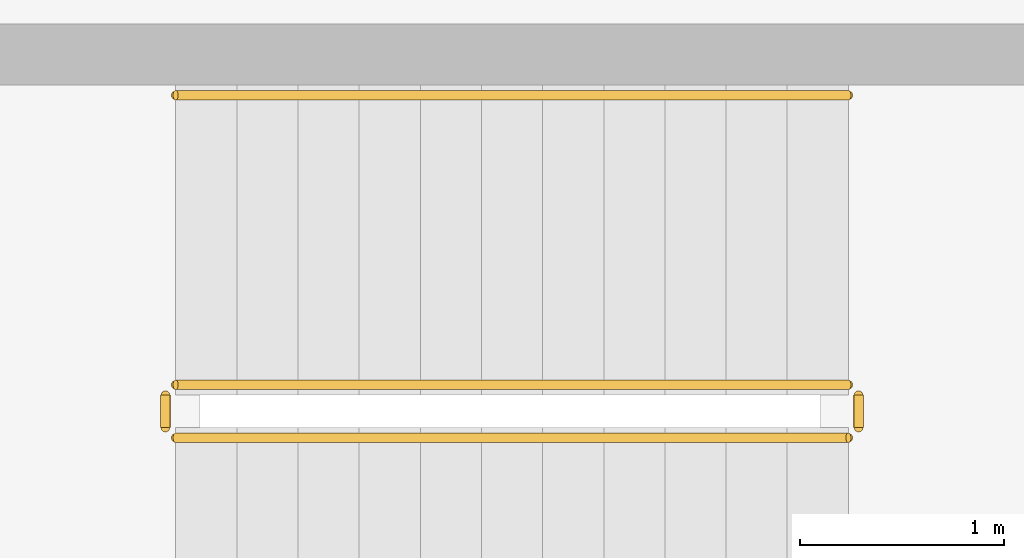
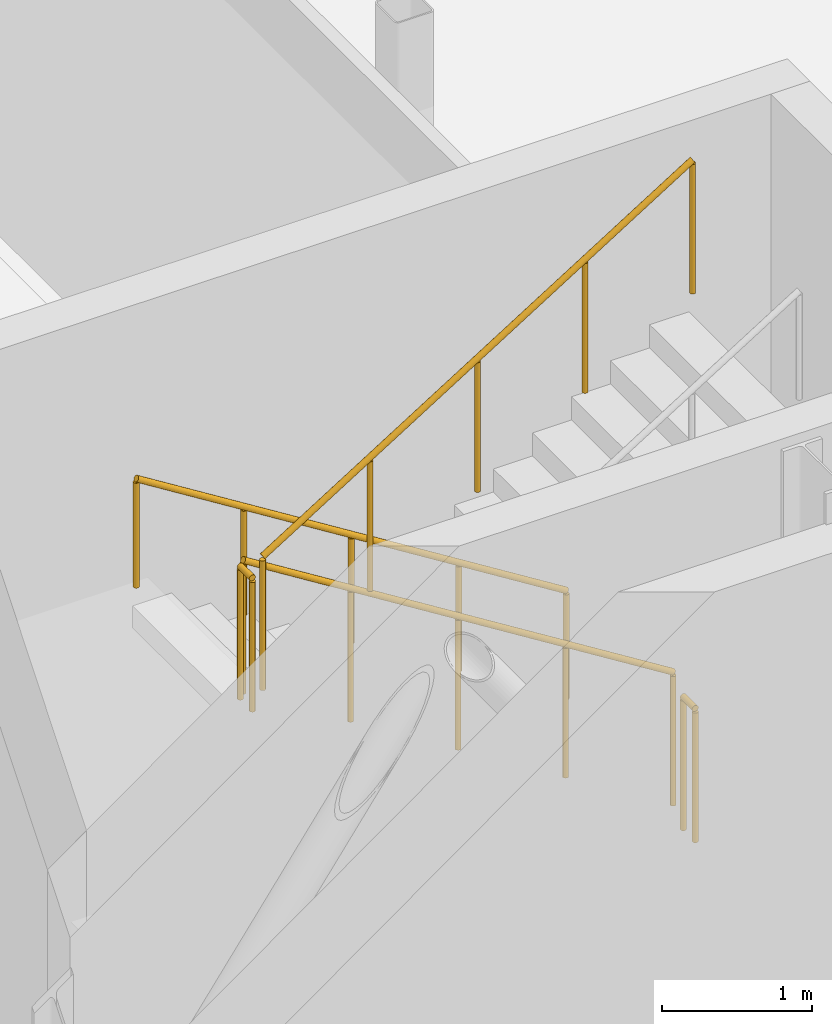
# One storey, part 81 of 100: 5 railings.
"""IFC4 building model written with IfcOpenShell, lengths in metres."""

from ifc_helpers import new_model, si_unit, direction, frame, origin, origin_2d, place, context, subcontext, project, spatial, circle, extrude, material, type_object, element, save


model = new_model("IFC4")

# Units and contexts
model_context = context("Model", 3, precision=1e-05, world=origin(), true_north=direction((0.0, 1.0)))
body_context = subcontext(model_context, "Body", "Model", "MODEL_VIEW")
ifc_project = project(units=[si_unit("LENGTHUNIT", "METRE"), si_unit("AREAUNIT", "SQUARE_METRE"), si_unit("VOLUMEUNIT", "CUBIC_METRE"), si_unit("PLANEANGLEUNIT", "RADIAN"), si_unit("MASSUNIT", "GRAM", prefix="KILO")], contexts=[model_context])

# Site, building, storey
site_placement = place(None, origin())
site = spatial("IfcSite", under=ifc_project, at=site_placement, CompositionType="ELEMENT")
building_placement = place(site_placement, origin())
building = spatial("IfcBuilding", under=site, at=building_placement, Name="Cymarion Research Institute", CompositionType="ELEMENT")
storey_placement = place(building_placement, frame((0.0, 0.0, 4.800048828125)))
storey = spatial("IfcBuildingStorey", under=building, at=storey_placement, Name="L01", CompositionType="ELEMENT", Elevation=4.800048828125)

# Railings
ifc_material = material(Name="Steel S355", Category="steel")
railing_type_1 = type_object("IfcRailingType", Name="PAINTED STEEL STAIR GUARDRAIL GR1 1100MM", PredefinedType="GUARDRAIL", material=ifc_material)
railing_1_placement = place(storey_placement, frame((62.60009765625, 7.929931640625, 0.1875)))
element("IfcRailing", 1, at=railing_1_placement, inside=storey, type_object=railing_type_1, Name="L01 ST3 stair guard 1", PredefinedType="GUARDRAIL", context=body_context, shape_type="SweptSolid", body=[
    extrude(circle(Radius=0.02392578125, at=origin_2d()), frame((0.0, 0.0, 1.076171875), z_axis=(-0.848001828478, 0.0, 0.529993300805), x_axis=(0.0, -1.0, 0.0)), (0.0, 0.0, 1.0), 3.8916015625),
    extrude(circle(Radius=0.02099609375, at=origin_2d()), origin(), (0.0, 0.0, 1.0), 1.052001953125),
    extrude(circle(Radius=0.02099609375, at=origin_2d()), frame((-0.824951171875, 0.0, 0.515625)), (0.0, 0.0, 1.0), 1.052001953125),
    extrude(circle(Radius=0.02099609375, at=origin_2d()), frame((-1.64990234375, 0.0, 1.03125)), (0.0, 0.0, 1.0), 1.052001953125),
    extrude(circle(Radius=0.02099609375, at=origin_2d()), frame((-2.47509765625, 0.0, 1.546875)), (0.0, 0.0, 1.0), 1.052001953125),
    extrude(circle(Radius=0.02099609375, at=origin_2d()), frame((-3.300048828125, 0.0, 2.0625)), (0.0, 0.0, 1.0), 1.052001953125),
])
railing_2_placement = place(storey_placement, frame((59.25, 7.8798828125, 2.25)))
element("IfcRailing", 2, at=railing_2_placement, inside=storey, type_object=railing_type_1, Name="L01 ST3 stair guard 2", PredefinedType="GUARDRAIL", context=body_context, shape_type="SweptSolid", body=[
    extrude(circle(Radius=0.02392578125, at=origin_2d()), frame((0.0, 0.0, 1.076171875), z_axis=(0.0, -1.0, 0.0), x_axis=(1.0, 0.0, 0.0)), (0.0, 0.0, 1.0), 0.159912109375),
    extrude(circle(Radius=0.02099609375, at=origin_2d()), origin(), (0.0, 0.0, 1.0), 1.052001953125),
    extrude(circle(Radius=0.02099609375, at=origin_2d()), frame((0.0, -0.159912109375, 0.0)), (0.0, 0.0, 1.0), 1.052001953125),
])
railing_3_placement = place(storey_placement, frame((59.300048828125, 7.669921875, 2.4375)))
element("IfcRailing", 3, at=railing_3_placement, inside=storey, type_object=railing_type_1, Name="L01 ST3 stair guard 3", PredefinedType="GUARDRAIL", context=body_context, shape_type="SweptSolid", body=[
    extrude(circle(Radius=0.02392578125, at=origin_2d()), frame((0.0, 0.0, 1.076171875), z_axis=(0.848001828478, 0.0, 0.529993300805), x_axis=(0.0, 1.0, 0.0)), (0.0, 0.0, 1.0), 3.8916015625),
    extrude(circle(Radius=0.02099609375, at=origin_2d()), origin(), (0.0, 0.0, 1.0), 1.052001953125),
    extrude(circle(Radius=0.02099609375, at=origin_2d()), frame((0.824951171875, 0.0, 0.515625)), (0.0, 0.0, 1.0), 1.052001953125),
    extrude(circle(Radius=0.02099609375, at=origin_2d()), frame((1.64990234375, 0.0, 1.03125)), (0.0, 0.0, 1.0), 1.052001953125),
    extrude(circle(Radius=0.02099609375, at=origin_2d()), frame((2.47509765625, 0.0, 1.546875)), (0.0, 0.0, 1.0), 1.052001953125),
    extrude(circle(Radius=0.02099609375, at=origin_2d()), frame((3.300048828125, 0.0, 2.0625)), (0.0, 0.0, 1.0), 1.052001953125),
])
railing_4_placement = place(storey_placement, frame((62.64990234375, 7.8798828125, 0.0)))
element("IfcRailing", 4, at=railing_4_placement, inside=storey, type_object=railing_type_1, Name="L01 ST3 stair guard 4", PredefinedType="GUARDRAIL", context=body_context, shape_type="SweptSolid", body=[
    extrude(circle(Radius=0.02392578125, at=origin_2d()), frame((0.0, 0.0, 1.076171875), z_axis=(0.0, -1.0, 0.0), x_axis=(1.0, 0.0, 0.0)), (0.0, 0.0, 1.0), 0.159912109375),
    extrude(circle(Radius=0.02099609375, at=origin_2d()), origin(), (0.0, 0.0, 1.0), 1.052001953125),
    extrude(circle(Radius=0.02099609375, at=origin_2d()), frame((0.0, -0.159912109375, 0.0)), (0.0, 0.0, 1.0), 1.052001953125),
])
railing_type_2 = type_object("IfcRailingType", Name="STAINLESS STEEL STAIR HANDRAIL HR1 900MM", PredefinedType="HANDRAIL", material=ifc_material)
railing_5_placement = place(storey_placement, frame((62.60009765625, 9.35009765625, 0.1875)))
element("IfcRailing", 5, at=railing_5_placement, inside=storey, type_object=railing_type_2, Name="L01 ST3 stair handrail 1", PredefinedType="HANDRAIL", context=body_context, shape_type="SweptSolid", body=[
    extrude(circle(Radius=0.02392578125, at=origin_2d()), frame((0.0, 0.0, 0.8759765625), z_axis=(-0.848001828478, 0.0, 0.529993300805), x_axis=(0.0, -1.0, 0.0)), (0.0, 0.0, 1.0), 3.8916015625),
    extrude(circle(Radius=0.02099609375, at=origin_2d()), origin(), (0.0, 0.0, 1.0), 0.851806640625),
    extrude(circle(Radius=0.02099609375, at=origin_2d()), frame((-0.824951171875, 0.0, 0.515625)), (0.0, 0.0, 1.0), 0.851806640625),
    extrude(circle(Radius=0.02099609375, at=origin_2d()), frame((-1.64990234375, 0.0, 1.03125)), (0.0, 0.0, 1.0), 0.851806640625),
    extrude(circle(Radius=0.02099609375, at=origin_2d()), frame((-2.47509765625, 0.0, 1.546875)), (0.0, 0.0, 1.0), 0.851806640625),
    extrude(circle(Radius=0.02099609375, at=origin_2d()), frame((-3.300048828125, 0.0, 2.0625)), (0.0, 0.0, 1.0), 0.851806640625),
])

save(model, "model.ifc")
